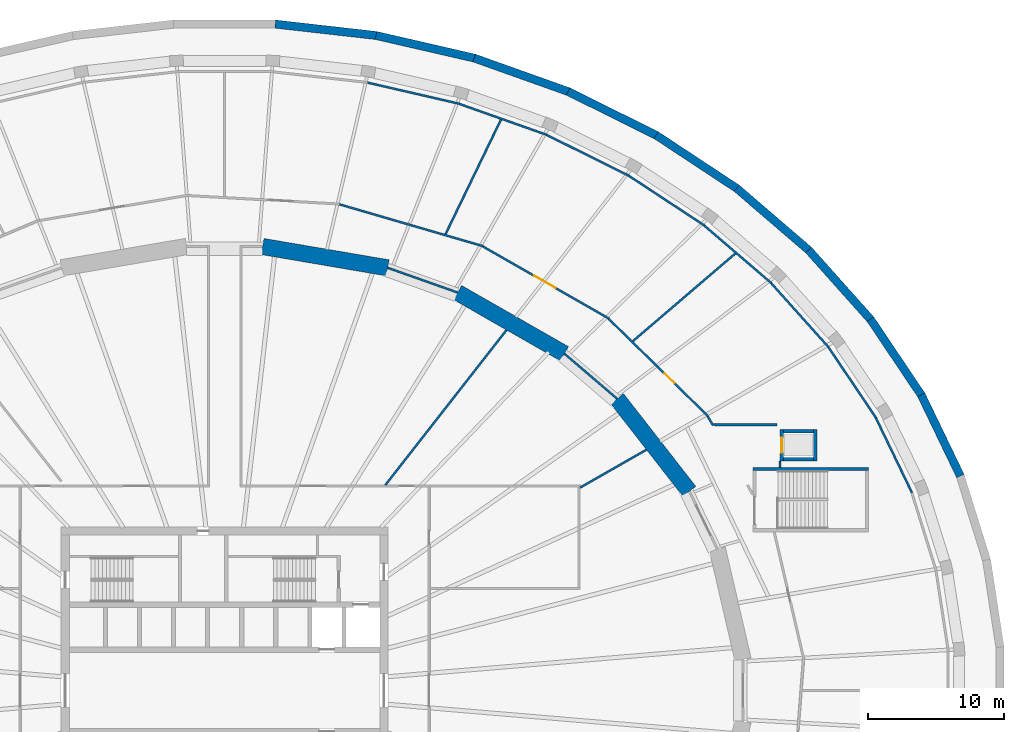
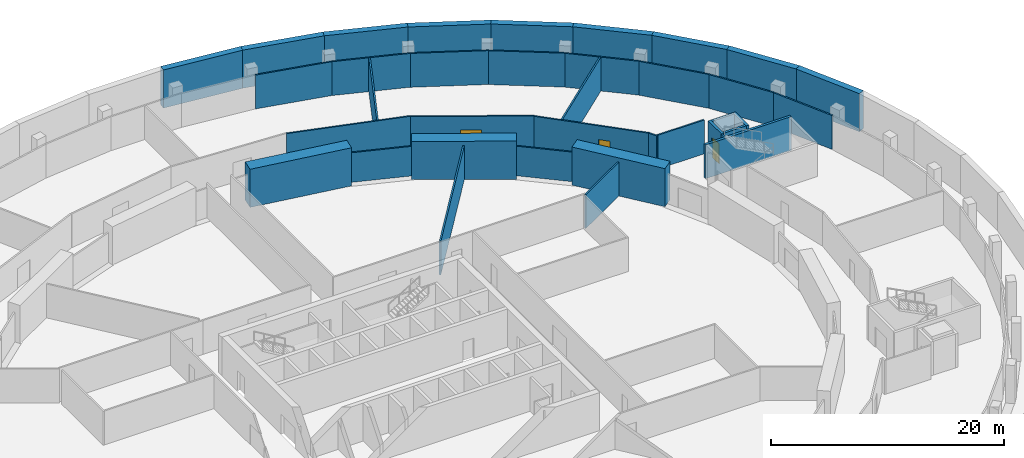
# One storey, part 11 of 14: 37 walls, 3 doors, 3 openings.
"""IFC4 building model written with IfcOpenShell, lengths in metres."""

from ifc_helpers import new_model, si_unit, direction, frame, frame_2d, origin, place, context, subcontext, project, spatial, polyline, rectangle, outline, extrude, material, layer, layer_set, type_object, element, fill, save


model = new_model("IFC4")

# Units and contexts
model_context = context("Model", 3, precision=1e-05, world=origin(), true_north=direction((0.0, 1.0)))
body_context = subcontext(model_context, "Body", "Model", "MODEL_VIEW")
ifc_project = project(units=[si_unit("LENGTHUNIT", "METRE"), si_unit("AREAUNIT", "SQUARE_METRE"), si_unit("VOLUMEUNIT", "CUBIC_METRE"), si_unit("PLANEANGLEUNIT", "RADIAN"), si_unit("MASSUNIT", "GRAM", prefix="KILO")], contexts=[model_context])

# Site, building, storey
site_placement = place(None, origin())
site = spatial("IfcSite", under=ifc_project, at=site_placement, CompositionType="ELEMENT")
building_placement = place(site_placement, origin())
building = spatial("IfcBuilding", under=site, at=building_placement, Name="Halqa Exchange Tower", CompositionType="ELEMENT")
storey_placement = place(building_placement, frame((0.0, 0.0, -4.0)))
storey = spatial("IfcBuildingStorey", under=building, at=storey_placement, Name="B1", CompositionType="ELEMENT", Elevation=-4.0)

# Walls
ifc_material_1 = material(Name="Fire-rated gypsum board")
ifc_layer_1 = layer(ifc_material_1, 0.14990234375)
ifc_layer_set_1 = layer_set([ifc_layer_1], Name="Fire-rated gypsum board")
wall_type_1 = type_object("IfcWallType", Name="Fire partition EI 60 150", PredefinedType="PARTITIONING", material=ifc_layer_set_1)
wall_1_placement = place(storey_placement, frame((8.416015625, 35.672119140625, 0.0), z_axis=(0.0, 0.0, 1.0), x_axis=(0.960099578905, -0.279658360479, 0.0)))
element("IfcWall", 1, at=wall_1_placement, inside=storey, type_object=wall_type_1, Name="B1-PWL-084", PredefinedType="PARTITIONING", context=body_context, shape_type="SweptSolid", body=[
    extrude(rectangle(XDim=10.97705078125, YDim=0.14990234375, at=frame_2d((5.488525390625, 0.0))), origin(), (0.0, 0.0, 1.0), 3.550048828125),
])
wall_2_placement = place(storey_placement, frame((10.4833984375, 44.600830078125, 0.0), z_axis=(0.0, 0.0, 1.0), x_axis=(0.974487031509, -0.224443813504, 0.0)))
element("IfcWall", 2, at=wall_2_placement, inside=storey, type_object=wall_type_1, Name="B1-PWL-086", PredefinedType="PARTITIONING", context=body_context, shape_type="SweptSolid", body=[
    extrude(rectangle(XDim=6.90625, YDim=0.14990234375, at=frame_2d((3.453125, 0.0))), origin(), (0.0, 0.0, 1.0), 3.550048828125),
])
wall_3_placement = place(storey_placement, frame((11.7880859375, 15.074462890625, 0.0), z_axis=(0.0, 0.0, 1.0), x_axis=(0.615848120598, 0.787864894735, 0.0)))
element("IfcWall", 3, at=wall_3_placement, inside=storey, type_object=wall_type_1, Name="B1-PWL-088", PredefinedType="PARTITIONING", context=body_context, shape_type="SweptSolid", body=[
    extrude(outline(polyline([(0.0, -0.074951171875), (14.44921875, -0.074951171875), (14.427734375, 0.074951171875), (0.0, 0.074951171875), (0.0, -0.074951171875)])), origin(), (0.0, 0.0, 1.0), 3.550048828125),
])
wall_4_placement = place(storey_placement, frame((16.2041015625, 33.480712890625, 0.0), z_axis=(0.0, 0.0, 1.0), x_axis=(0.435389941519, 0.90024196682, 0.0)))
element("IfcWall", 4, at=wall_4_placement, inside=storey, type_object=wall_type_1, Name="B1-PWL-095", PredefinedType="PARTITIONING", context=body_context, shape_type="SweptSolid", body=[
    extrude(outline(polyline([(0.0126953125, -0.074951171875), (9.339111328125, -0.074951171875), (9.322509765625, 0.074951171875), (-0.0126953125, 0.074951171875), (0.0126953125, -0.074951171875)])), origin(), (0.0, 0.0, 1.0), 3.550048828125),
])
wall_5_placement = place(storey_placement, frame((17.0908203125, 29.19970703125, 0.0), z_axis=(0.0, 0.0, 1.0), x_axis=(-0.942814385805, 0.333318217204, 0.0)))
element("IfcWall", 5, at=wall_5_placement, inside=storey, type_object=wall_type_1, Name="B1-PWL-096", PredefinedType="PARTITIONING", context=body_context, shape_type="SweptSolid", body=[
    extrude(outline(polyline([(-0.013671875, -0.074951171875), (5.44775390625, -0.074951171875), (5.421875, 0.074951171875), (0.013671875, 0.074951171875), (-0.013671875, -0.074951171875)])), origin(), (0.0, 0.0, 1.0), 3.10009765625),
])
wall_6_placement = place(storey_placement, frame((17.210693359375, 43.04150390625, 0.0), z_axis=(0.0, 0.0, 1.0), x_axis=(0.94266330093, -0.333745263757, 0.0)))
element("IfcWall", 6, at=wall_6_placement, inside=storey, type_object=wall_type_1, Name="B1-PWL-099", PredefinedType="PARTITIONING", context=body_context, shape_type="SweptSolid", body=[
    extrude(rectangle(XDim=6.83154296875, YDim=0.14990234375, at=frame_2d((3.415771484375, 0.0))), origin(), (0.0, 0.0, 1.0), 3.550048828125),
])

# Wall, opening, door
wall_7_placement = place(storey_placement, frame((18.94775390625, 32.579833984375, 0.0), z_axis=(0.0, 0.0, 1.0), x_axis=(0.867835024459, -0.496852463336, 0.0)))
wall_7 = element("IfcWall", 7, at=wall_7_placement, inside=storey, type_object=wall_type_1, Name="B1-PWL-100", PredefinedType="PARTITIONING", context=body_context, shape_type="SweptSolid", body=[
    extrude(rectangle(XDim=10.646728515625, YDim=0.14990234375, at=frame_2d((5.3232421875, 0.0))), origin(), (0.0, 0.0, 1.0), 3.550048828125),
])
opening_1_placement = place(wall_7_placement, frame((4.322509765625, 0.0, 0.0)))
opening_1 = element("IfcOpeningElement", 8, at=opening_1_placement, cuts=wall_7, Name="Opening B1-23", PredefinedType="OPENING", context=body_context, shape_type="SweptSolid", body=[
    extrude(rectangle(XDim=1.800048828125, YDim=2.10009765625, at=frame_2d((0.89990234375, 1.050048828125))), frame((0.0, 0.0869140625, 0.0), z_axis=(0.0, -1.0, 0.0), x_axis=(1.0, 0.0, 0.0)), (0.0, 0.0, 1.0), 0.173828125),
])
ifc_material_2 = material(Name="Steel fire door leaf", Category="steel")
door_type_1 = type_object("IfcDoorType", Name="Fire door FD30S double 1800 x 2100", OperationType="DOUBLE_DOOR_SINGLE_SWING", PredefinedType="DOOR", material=ifc_material_2)
door_1_placement = place(opening_1_placement, origin())
door_1 = element("IfcDoor", 9, at=door_1_placement, inside=storey, type_object=door_type_1, Name="B1-IDR-023", OperationType="DOUBLE_DOOR_SINGLE_SWING", OverallHeight=2.10009765625, OverallWidth=1.800048828125, PredefinedType="DOOR", context=body_context, shape_type="SweptSolid", body=[
    extrude(rectangle(XDim=1.800048828125, YDim=2.10009765625, at=frame_2d((0.89990234375, 1.050048828125))), frame((0.0, 0.02490234375, 0.0), z_axis=(0.0, -1.0, 0.0), x_axis=(1.0, 0.0, 0.0)), (0.0, 0.0, 1.0), 0.050048828125),
])
fill(opening_1, door_1)

# Walls
wall_8_placement = place(storey_placement, frame((23.646484375, 40.751953125, 0.0), z_axis=(0.0, 0.0, 1.0), x_axis=(0.895909442692, -0.444236727991, 0.0)))
element("IfcWall", 10, at=wall_8_placement, inside=storey, type_object=wall_type_1, Name="B1-PWL-101", PredefinedType="PARTITIONING", context=body_context, shape_type="SweptSolid", body=[
    extrude(rectangle(XDim=6.730712890625, YDim=0.14990234375, at=frame_2d((3.365234375, 0.0))), origin(), (0.0, 0.0, 1.0), 3.550048828125),
])
wall_9_placement = place(storey_placement, frame((26.07421875, 14.88232421875, 0.0), z_axis=(0.0, 0.0, 1.0), x_axis=(0.868133416031, 0.496330909746, 0.0)))
element("IfcWall", 11, at=wall_9_placement, inside=storey, type_object=wall_type_1, Name="B1-PWL-108", PredefinedType="PARTITIONING", context=body_context, shape_type="SweptSolid", body=[
    extrude(outline(polyline([(0.0, -0.074951171875), (5.625732421875, -0.074951171875), (5.604248046875, 0.074951171875), (0.0, 0.074951171875), (0.0, -0.074951171875)])), origin(), (0.0, 0.0, 1.0), 3.550048828125),
])

# Wall, opening, door
wall_10_placement = place(storey_placement, frame((28.173583984375, 27.267822265625, 0.0), z_axis=(0.0, 0.0, 1.0), x_axis=(0.714427427428, -0.699709547554, 0.0)))
wall_10 = element("IfcWall", 12, at=wall_10_placement, inside=storey, type_object=wall_type_1, Name="B1-PWL-109", PredefinedType="PARTITIONING", context=body_context, shape_type="SweptSolid", body=[
    extrude(rectangle(XDim=10.20166015625, YDim=0.14990234375, at=frame_2d((5.100830078125, 0.0))), origin(), (0.0, 0.0, 1.0), 3.550048828125),
])
opening_2_placement = place(wall_10_placement, frame((5.739501953125, 0.0, 0.0)))
opening_2 = element("IfcOpeningElement", 13, at=opening_2_placement, cuts=wall_10, Name="Opening B1-22", PredefinedType="OPENING", context=body_context, shape_type="SweptSolid", body=[
    extrude(rectangle(XDim=1.0, YDim=2.10009765625, at=frame_2d((0.5, 1.050048828125))), frame((0.0, 0.0869140625, 0.0), z_axis=(0.0, -1.0, 0.0), x_axis=(1.0, 0.0, 0.0)), (0.0, 0.0, 1.0), 0.173828125),
])
door_type_2 = type_object("IfcDoorType", Name="Fire door FD30S 1000 x 2100", OperationType="SINGLE_SWING_LEFT", PredefinedType="DOOR", material=ifc_material_2)
door_2_placement = place(opening_2_placement, origin())
door_2 = element("IfcDoor", 14, at=door_2_placement, inside=storey, type_object=door_type_2, Name="B1-IDR-022", OperationType="SINGLE_SWING_RIGHT", OverallHeight=2.10009765625, OverallWidth=1.0, PredefinedType="DOOR", context=body_context, shape_type="SweptSolid", body=[
    extrude(rectangle(XDim=1.0, YDim=2.10009765625, at=frame_2d((0.5, 1.050048828125))), frame((0.0, 0.02490234375, 0.0), z_axis=(0.0, -1.0, 0.0), x_axis=(1.0, 0.0, 0.0)), (0.0, 0.0, 1.0), 0.050048828125),
])
fill(opening_2, door_2)

# Walls
wall_11_placement = place(storey_placement, frame((28.789306640625, 21.41064453125, 0.0), z_axis=(0.0, 0.0, 1.0), x_axis=(-0.760084552743, 0.649824185978, 0.0)))
element("IfcWall", 15, at=wall_11_placement, inside=storey, type_object=wall_type_1, Name="B1-PWL-110", PredefinedType="PARTITIONING", context=body_context, shape_type="SweptSolid", body=[
    extrude(outline(polyline([(-0.015380859375, -0.074951171875), (5.089111328125, -0.074951171875), (5.060791015625, 0.074951171875), (0.015380859375, 0.074951171875), (-0.015380859375, -0.074951171875)])), origin(), (0.0, 0.0, 1.0), 3.10009765625),
])
wall_12_placement = place(storey_placement, frame((29.67138671875, 37.7529296875, 0.0), z_axis=(0.0, 0.0, 1.0), x_axis=(0.83553583791, -0.549435950378, 0.0)))
element("IfcWall", 16, at=wall_12_placement, inside=storey, type_object=wall_type_1, Name="B1-PWL-112", PredefinedType="PARTITIONING", context=body_context, shape_type="SweptSolid", body=[
    extrude(rectangle(XDim=6.6064453125, YDim=0.14990234375, at=frame_2d((3.30322265625, 0.0))), origin(), (0.0, 0.0, 1.0), 3.550048828125),
])
wall_13_placement = place(storey_placement, frame((29.950439453125, 25.631591796875, 0.0), z_axis=(0.0, 0.0, 1.0), x_axis=(0.759739094859, 0.650228042876, 0.0)))
element("IfcWall", 17, at=wall_13_placement, inside=storey, type_object=wall_type_1, Name="B1-PWL-114", PredefinedType="PARTITIONING", context=body_context, shape_type="SweptSolid", body=[
    extrude(outline(polyline([(0.006591796875, -0.074951171875), (9.901123046875, -0.074951171875), (9.877685546875, 0.074951171875), (-0.006591796875, 0.074951171875), (0.006591796875, -0.074951171875)])), origin(), (0.0, 0.0, 1.0), 3.550048828125),
])
wall_14_placement = place(storey_placement, frame((35.184814453125, 34.1142578125, 0.0), z_axis=(0.0, 0.0, 1.0), x_axis=(0.759033312601, -0.651051787773, 0.0)))
element("IfcWall", 18, at=wall_14_placement, inside=storey, type_object=wall_type_1, Name="B1-PWL-119", PredefinedType="PARTITIONING", context=body_context, shape_type="SweptSolid", body=[
    extrude(rectangle(XDim=6.484375, YDim=0.14990234375, at=frame_2d((3.2421875, 0.0))), origin(), (0.0, 0.0, 1.0), 3.550048828125),
])
wall_15_placement = place(storey_placement, frame((35.442626953125, 20.11083984375, 0.0), z_axis=(0.0, 0.0, 1.0), x_axis=(0.507767925719, -0.861493896444, 0.0)))
element("IfcWall", 19, at=wall_15_placement, inside=storey, type_object=wall_type_1, Name="B1-PWL-120", PredefinedType="PARTITIONING", context=body_context, shape_type="SweptSolid", body=[
    extrude(rectangle(XDim=0.770263671875, YDim=0.14990234375, at=frame_2d((0.38525390625, 0.0))), origin(), (0.0, 0.0, 1.0), 3.550048828125),
])
wall_16_placement = place(storey_placement, frame((35.888916015625, 19.5, 0.0), z_axis=(0.0, 0.0, 1.0), x_axis=(1.0, 0.0, 0.0)))
element("IfcWall", 20, at=wall_16_placement, inside=storey, type_object=wall_type_1, Name="B1-PWL-122", PredefinedType="PARTITIONING", context=body_context, shape_type="SweptSolid", body=[
    extrude(outline(polyline([(0.044921875, -0.074951171875), (4.635986328125, -0.074951171875), (4.635986328125, 0.074951171875), (-0.044921875, 0.074951171875), (0.044921875, -0.074951171875)])), origin(), (0.0, 0.0, 1.0), 3.550048828125),
])
wall_17_placement = place(storey_placement, frame((40.0986328125, 29.884521484375, 0.0), z_axis=(0.0, 0.0, 1.0), x_axis=(0.6673947824, -0.744704105283, 0.0)))
element("IfcWall", 21, at=wall_17_placement, inside=storey, type_object=wall_type_1, Name="B1-PWL-127", PredefinedType="PARTITIONING", context=body_context, shape_type="SweptSolid", body=[
    extrude(rectangle(XDim=6.338134765625, YDim=0.14990234375, at=frame_2d((3.1689453125, 0.0))), origin(), (0.0, 0.0, 1.0), 3.550048828125),
])
wall_18_placement = place(storey_placement, frame((40.75, 16.85009765625, 0.0), z_axis=(0.0, 0.0, 1.0), x_axis=(0.0, -1.0, 0.0)))
element("IfcWall", 22, at=wall_18_placement, inside=storey, type_object=wall_type_1, Name="B1-PWL-131", PredefinedType="PARTITIONING", context=body_context, shape_type="SweptSolid", body=[
    extrude(rectangle(XDim=0.47607421875, YDim=0.14990234375, at=frame_2d((0.238037109375, 0.0))), origin(), (0.0, 0.0, 1.0), 3.550048828125),
])
wall_19_placement = place(storey_placement, frame((44.319091796875, 25.156982421875, 0.0), z_axis=(0.0, 0.0, 1.0), x_axis=(0.558812320082, -0.829294152231, 0.0)))
element("IfcWall", 23, at=wall_19_placement, inside=storey, type_object=wall_type_1, Name="B1-PWL-134", PredefinedType="PARTITIONING", context=body_context, shape_type="SweptSolid", body=[
    extrude(rectangle(XDim=6.2099609375, YDim=0.14990234375, at=frame_2d((3.10498046875, 0.0))), origin(), (0.0, 0.0, 1.0), 3.550048828125),
])
wall_20_placement = place(storey_placement, frame((47.7783203125, 20.000732421875, 0.0), z_axis=(0.0, 0.0, 1.0), x_axis=(0.434690826011, -0.900579749818, 0.0)))
element("IfcWall", 24, at=wall_20_placement, inside=storey, type_object=wall_type_1, Name="B1-PWL-136", PredefinedType="PARTITIONING", context=body_context, shape_type="SweptSolid", body=[
    extrude(rectangle(XDim=6.095947265625, YDim=0.14990234375, at=frame_2d((3.0478515625, 0.0))), origin(), (0.0, 0.0, 1.0), 3.550048828125),
])

# Wall, opening, door
ifc_material_3 = material(Name="Gypsum board")
ifc_layer_2 = layer(ifc_material_3, 0.25)
ifc_layer_set_2 = layer_set([ifc_layer_2], Name="Gypsum board")
wall_type_2 = type_object("IfcWallType", Name="Penthouse riser wall 250 gypsum", PredefinedType="PARTITIONING", material=ifc_layer_set_2)
wall_21_placement = place(storey_placement, frame((40.875, 16.85009765625, 0.0), z_axis=(0.0, 0.0, 1.0), x_axis=(0.0, 1.0, 0.0)))
wall_21 = element("IfcWall", 25, at=wall_21_placement, inside=storey, type_object=wall_type_2, Name="Station lift AL1 wall west", PredefinedType="PARTITIONING", context=body_context, shape_type="SweptSolid", body=[
    extrude(rectangle(XDim=2.2998046875, YDim=0.25, at=frame_2d((1.14990234375, 0.0))), origin(), (0.0, 0.0, 1.0), 3.550048828125),
])
opening_3_placement = place(wall_21_placement, frame((0.60009765625, 0.0, 0.0)))
opening_3 = element("IfcOpeningElement", 26, at=opening_3_placement, cuts=wall_21, Name="Opening LD-AL1-B1", PredefinedType="OPENING", context=body_context, shape_type="SweptSolid", body=[
    extrude(rectangle(XDim=1.10009765625, YDim=2.10009765625, at=frame_2d((0.550048828125, 1.050048828125))), frame((0.0, 0.136962890625, 0.0), z_axis=(0.0, -1.0, 0.0), x_axis=(1.0, 0.0, 0.0)), (0.0, 0.0, 1.0), 0.27392578125),
])
ifc_material_4 = material(Name="Stainless steel", Category="steel")
door_type_3 = type_object("IfcDoorType", Name="Lift landing door 1100 x 2100", OperationType="SLIDING_TO_LEFT", PredefinedType="DOOR", material=ifc_material_4)
door_3_placement = place(opening_3_placement, origin())
door_3 = element("IfcDoor", 27, at=door_3_placement, inside=storey, type_object=door_type_3, Name="Lift landing door AL1", OperationType="SLIDING_TO_LEFT", OverallHeight=2.10009765625, OverallWidth=1.10009765625, PredefinedType="DOOR", context=body_context, shape_type="SweptSolid", body=[
    extrude(rectangle(XDim=1.10009765625, YDim=2.10009765625, at=frame_2d((0.550048828125, 1.050048828125))), frame((0.0, 0.02490234375, 0.0), z_axis=(0.0, -1.0, 0.0), x_axis=(1.0, 0.0, 0.0)), (0.0, 0.0, 1.0), 0.050048828125),
])
fill(opening_3, door_3)

# Walls
wall_22_placement = place(storey_placement, frame((43.324951171875, 16.85009765625, 0.0), z_axis=(0.0, 0.0, 1.0), x_axis=(0.0, 1.0, 0.0)))
element("IfcWall", 28, at=wall_22_placement, inside=storey, type_object=wall_type_2, Name="Station lift AL1 wall east", PredefinedType="PARTITIONING", context=body_context, shape_type="SweptSolid", body=[
    extrude(rectangle(XDim=2.2998046875, YDim=0.25, at=frame_2d((1.14990234375, 0.0))), origin(), (0.0, 0.0, 1.0), 3.550048828125),
])
for number, where, z_axis, x_axis, name in (
    (29, (41.0, 19.02490234375, 0.0), (0.0, 0.0, 1.0), (1.0, 0.0, 0.0), "Station lift AL1 wall north"),
    (30, (41.0, 16.97509765625, 0.0), (0.0, 0.0, 1.0), (1.0, 0.0, 0.0), "Station lift AL1 wall south"),
):
    element("IfcWall", number, at=place(storey_placement, frame(where, z_axis=z_axis, x_axis=x_axis)), inside=storey, type_object=wall_type_2, Name=name, PredefinedType="PARTITIONING", context=body_context, shape_type="SweptSolid", body=[
        extrude(rectangle(XDim=2.199951171875, YDim=0.25, at=frame_2d((1.10009765625, 0.0))), origin(), (0.0, 0.0, 1.0), 3.550048828125),
    ])
ifc_material_5 = material(Name="Concrete C40/50", Category="concrete")
ifc_layer_3 = layer(ifc_material_5, 0.60009765625)
ifc_layer_set_3 = layer_set([ifc_layer_3], Name="Concrete C40/50")
wall_type_3 = type_object("IfcWallType", Name="RC basement wall 600", PredefinedType="SOLIDWALL", material=ifc_layer_set_3)
wall_23_placement = place(storey_placement, frame((53.984619140625, 15.730712890625, 0.0), z_axis=(0.0, 0.0, 1.0), x_axis=(-0.434104041315, 0.900862742772, 0.0)))
element("IfcWall", 31, at=wall_23_placement, inside=storey, type_object=wall_type_3, Name="Basement retaining wall", PredefinedType="SOLIDWALL", context=body_context, shape_type="SweptSolid", body=[
    extrude(rectangle(XDim=6.61669921875, YDim=0.60009765625, at=frame_2d((3.308349609375, 0.0))), origin(), (0.0, 0.0, 1.0), 4.0),
])
wall_24_placement = place(storey_placement, frame((51.133544921875, 21.654296875, 0.0), z_axis=(0.0, 0.0, 1.0), x_axis=(-0.557518861869, 0.830164272093, 0.0)))
element("IfcWall", 32, at=wall_24_placement, inside=storey, type_object=wall_type_3, Name="Basement retaining wall", PredefinedType="SOLIDWALL", context=body_context, shape_type="SweptSolid", body=[
    extrude(rectangle(XDim=6.728515625, YDim=0.60009765625, at=frame_2d((3.3642578125, 0.0))), origin(), (0.0, 0.0, 1.0), 4.0),
])
wall_25_placement = place(storey_placement, frame((47.407470703125, 27.20751953125, 0.0), z_axis=(0.0, 0.0, 1.0), x_axis=(-0.665894053378, 0.74604631872, 0.0)))
element("IfcWall", 33, at=wall_25_placement, inside=storey, type_object=wall_type_3, Name="Basement retaining wall", PredefinedType="SOLIDWALL", context=body_context, shape_type="SweptSolid", body=[
    extrude(rectangle(XDim=6.8564453125, YDim=0.60009765625, at=frame_2d((3.42822265625, 0.0))), origin(), (0.0, 0.0, 1.0), 4.0),
])
wall_26_placement = place(storey_placement, frame((42.869873046875, 32.294921875, 0.0), z_axis=(0.0, 0.0, 1.0), x_axis=(-0.758319142722, 0.65188348482, 0.0)))
element("IfcWall", 34, at=wall_26_placement, inside=storey, type_object=wall_type_3, Name="Basement retaining wall", PredefinedType="SOLIDWALL", context=body_context, shape_type="SweptSolid", body=[
    extrude(rectangle(XDim=6.991455078125, YDim=0.60009765625, at=frame_2d((3.49560546875, 0.0))), origin(), (0.0, 0.0, 1.0), 4.0),
])
wall_27_placement = place(storey_placement, frame((37.5986328125, 36.82958984375, 0.0), z_axis=(0.0, 0.0, 1.0), x_axis=(-0.834745196239, 0.550636411215, 0.0)))
element("IfcWall", 35, at=wall_27_placement, inside=storey, type_object=wall_type_3, Name="Basement retaining wall", PredefinedType="SOLIDWALL", context=body_context, shape_type="SweptSolid", body=[
    extrude(rectangle(XDim=7.123779296875, YDim=0.60009765625, at=frame_2d((3.56201171875, 0.0))), origin(), (0.0, 0.0, 1.0), 4.0),
])
wall_28_placement = place(storey_placement, frame((31.68408203125, 40.73388671875, 0.0), z_axis=(0.0, 0.0, 1.0), x_axis=(-0.895750986496, 0.44455614965, 0.0)))
element("IfcWall", 36, at=wall_28_placement, inside=storey, type_object=wall_type_3, Name="Basement retaining wall", PredefinedType="SOLIDWALL", context=body_context, shape_type="SweptSolid", body=[
    extrude(rectangle(XDim=7.244873046875, YDim=0.60009765625, at=frame_2d((3.62255859375, 0.0))), origin(), (0.0, 0.0, 1.0), 4.0),
])
wall_29_placement = place(storey_placement, frame((25.227294921875, 43.94091796875, 0.0), z_axis=(0.0, 0.0, 1.0), x_axis=(-0.942060991409, 0.33544163198, 0.0)))
element("IfcWall", 37, at=wall_29_placement, inside=storey, type_object=wall_type_3, Name="Basement retaining wall", PredefinedType="SOLIDWALL", context=body_context, shape_type="SweptSolid", body=[
    extrude(rectangle(XDim=7.347412109375, YDim=0.60009765625, at=frame_2d((3.673828125, 0.0))), origin(), (0.0, 0.0, 1.0), 4.0),
])
wall_30_placement = place(storey_placement, frame((18.3388671875, 46.395751953125, 0.0), z_axis=(0.0, 0.0, 1.0), x_axis=(-0.974485322097, 0.224451235276, 0.0)))
element("IfcWall", 38, at=wall_30_placement, inside=storey, type_object=wall_type_3, Name="Basement retaining wall", PredefinedType="SOLIDWALL", context=body_context, shape_type="SweptSolid", body=[
    extrude(rectangle(XDim=7.4248046875, YDim=0.60009765625, at=frame_2d((3.71240234375, 0.0))), origin(), (0.0, 0.0, 1.0), 4.0),
])
wall_31_placement = place(storey_placement, frame((11.13720703125, 48.056640625, 0.0), z_axis=(0.0, 0.0, 1.0), x_axis=(-0.993658203282, 0.112442763445, 0.0)))
element("IfcWall", 39, at=wall_31_placement, inside=storey, type_object=wall_type_3, Name="Basement retaining wall", PredefinedType="SOLIDWALL", context=body_context, shape_type="SweptSolid", body=[
    extrude(rectangle(XDim=7.473388671875, YDim=0.60009765625, at=frame_2d((3.73681640625, 0.0))), origin(), (0.0, 0.0, 1.0), 4.0),
])
ifc_material_6 = material(Name="Concrete C80/95", Category="concrete")
ifc_layer_4 = layer(ifc_material_6, 1.199951171875)
ifc_layer_set_4 = layer_set([ifc_layer_4], Name="Concrete C80/95")
wall_type_4 = type_object("IfcWallType", Name="RC ring pier 1200 C80/95", PredefinedType="SHEAR", material=ifc_layer_set_4)
wall_32_placement = place(storey_placement, frame((34.09716796875, 14.60498046875, 0.0), z_axis=(0.0, 0.0, 1.0), x_axis=(-0.614825322247, 0.788663314174, 0.0)))
element("IfcWall", 40, at=wall_32_placement, inside=storey, type_object=wall_type_4, Name="Ring pier 2", PredefinedType="SHEAR", context=body_context, shape_type="SweptSolid", body=[
    extrude(rectangle(XDim=8.631591796875, YDim=1.199951171875, at=frame_2d((4.31591796875, 0.0))), origin(), (0.0, 0.0, 1.0), 4.0),
])
wall_33_placement = place(storey_placement, frame((24.931396484375, 24.705810546875, 0.0), z_axis=(0.0, 0.0, 1.0), x_axis=(-0.867760656864, 0.496982336103, 0.0)))
element("IfcWall", 41, at=wall_33_placement, inside=storey, type_object=wall_type_4, Name="Ring pier 3", PredefinedType="SHEAR", context=body_context, shape_type="SweptSolid", body=[
    extrude(rectangle(XDim=9.037841796875, YDim=1.199951171875, at=frame_2d((4.51904296875, 0.0))), origin(), (0.0, 0.0, 1.0), 4.0),
])
wall_34_placement = place(storey_placement, frame((11.96728515625, 31.00927734375, 0.0), z_axis=(0.0, 0.0, 1.0), x_axis=(-0.985776286846, 0.168062822456, 0.0)))
element("IfcWall", 42, at=wall_34_placement, inside=storey, type_object=wall_type_4, Name="Ring pier 4", PredefinedType="SHEAR", context=body_context, shape_type="SweptSolid", body=[
    extrude(rectangle(XDim=9.3115234375, YDim=1.199951171875, at=frame_2d((4.65576171875, 0.0))), origin(), (0.0, 0.0, 1.0), 4.0),
])
ifc_material_7 = material(Name="Concrete C30/37", Category="concrete")
ifc_layer_5 = layer(ifc_material_7, 0.25)
ifc_layer_set_5 = layer_set([ifc_layer_5], Name="Concrete C30/37")
wall_type_5 = type_object("IfcWallType", Name="RC stair wall 250 C30/37", PredefinedType="SHEAR", material=ifc_layer_set_5)
wall_35_placement = place(storey_placement, frame((38.75, 16.25, 0.0), z_axis=(0.0, 0.0, 1.0), x_axis=(1.0, 0.0, 0.0)))
element("IfcWall", 43, at=wall_35_placement, inside=storey, type_object=wall_type_5, Name="Stair SS1 wall north", PredefinedType="SHEAR", context=body_context, shape_type="SweptSolid", body=[
    extrude(rectangle(XDim=8.5, YDim=0.25, at=frame_2d((4.25, 0.0))), origin(), (0.0, 0.0, 1.0), 3.550048828125),
])

save(model, "model.ifc")
